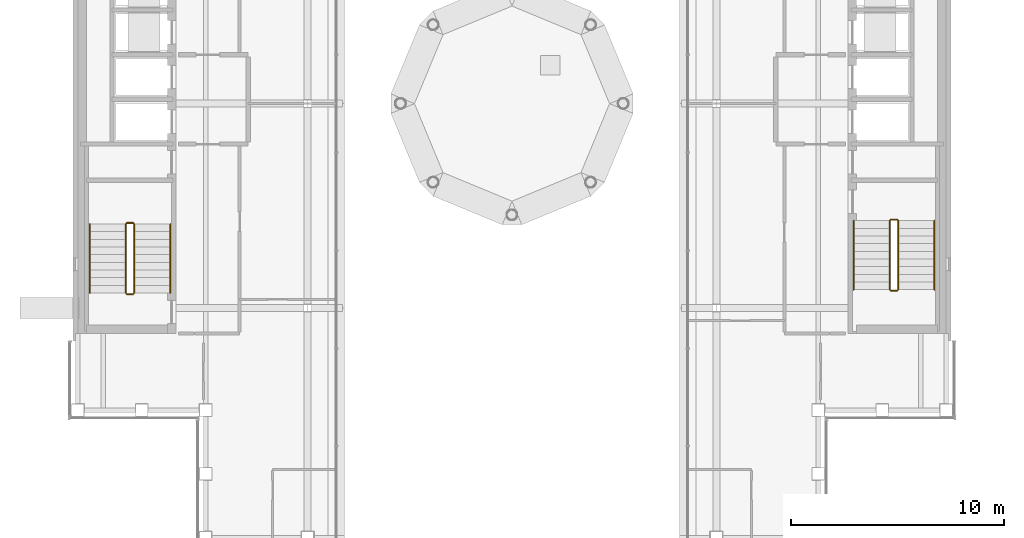
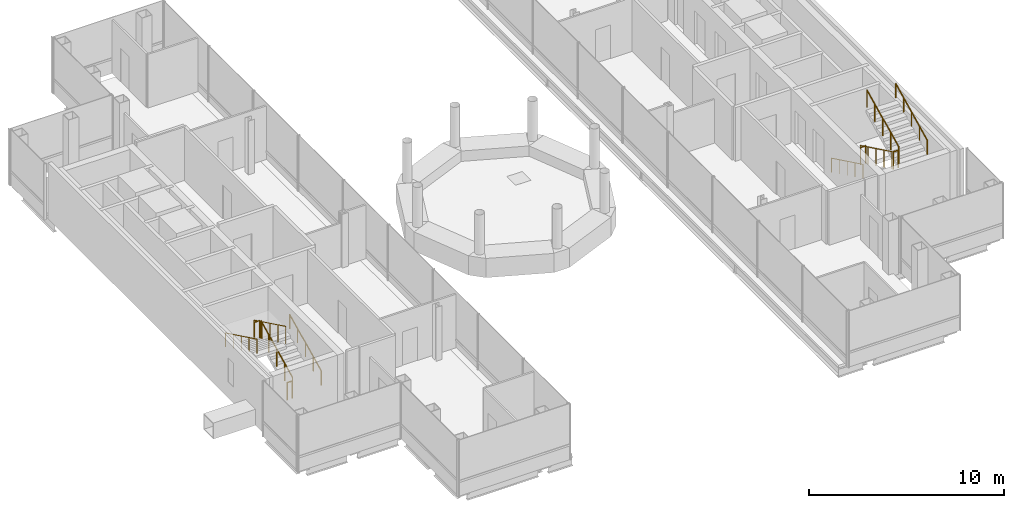
# One storey, part 15 of 16: 12 railings.
"""IFC4 building model written with IfcOpenShell, lengths in metres."""

from ifc_helpers import new_model, si_unit, direction, frame, origin, origin_2d, place, context, subcontext, project, spatial, circle, extrude, material, type_object, element, save


model = new_model("IFC4")

# Units and contexts
model_context = context("Model", 3, precision=1e-05, world=origin(), true_north=direction((0.0, 1.0)))
body_context = subcontext(model_context, "Body", "Model", "MODEL_VIEW")
ifc_project = project(units=[si_unit("LENGTHUNIT", "METRE"), si_unit("AREAUNIT", "SQUARE_METRE"), si_unit("VOLUMEUNIT", "CUBIC_METRE"), si_unit("PLANEANGLEUNIT", "RADIAN"), si_unit("MASSUNIT", "GRAM", prefix="KILO")], contexts=[model_context])

# Site, building, storey
site_placement = place(None, origin())
site = spatial("IfcSite", under=ifc_project, at=site_placement, CompositionType="ELEMENT")
building_placement = place(site_placement, origin())
building = spatial("IfcBuilding", under=site, at=building_placement, Name="Cobrizo Arcos Hotel Tower", CompositionType="ELEMENT")
storey_placement = place(building_placement, frame((0.0, 0.0, 272.5)))
storey = spatial("IfcBuildingStorey", under=building, at=storey_placement, Name="L72", CompositionType="ELEMENT", Elevation=272.5)

# Railings
ifc_material = material(Name="Stainless steel railing", Category="steel")
railing_type_1 = type_object("IfcRailingType", Name="Stair guard 1100", PredefinedType="GUARDRAIL", material=ifc_material)
railing_1_placement = place(storey_placement, frame((-17.75, -8.89990234375, 0.175048828125)))
element("IfcRailing", 1, at=railing_1_placement, inside=storey, type_object=railing_type_1, Name="L72 ST-W stair guard 1", PredefinedType="GUARDRAIL", context=body_context, shape_type="SweptSolid", body=[
    extrude(circle(Radius=0.02392578125, at=origin_2d()), frame((0.0, 0.0, 1.076171875), z_axis=(0.0, 0.899372665325, 0.437182809435), x_axis=(-1.0, 0.0, 0.0)), (0.0, 0.0, 1.0), 3.6025390625),
    extrude(circle(Radius=0.02099609375, at=origin_2d()), origin(), (0.0, 0.0, 1.0), 1.052001953125),
    extrude(circle(Radius=0.02099609375, at=origin_2d()), frame((0.0, 0.81005859375, 0.393798828125)), (0.0, 0.0, 1.0), 1.052001953125),
    extrude(circle(Radius=0.02099609375, at=origin_2d()), frame((0.0, 1.6201171875, 0.78759765625)), (0.0, 0.0, 1.0), 1.052001953125),
    extrude(circle(Radius=0.02099609375, at=origin_2d()), frame((0.0, 2.429931640625, 1.18115234375)), (0.0, 0.0, 1.0), 1.052001953125),
    extrude(circle(Radius=0.02099609375, at=origin_2d()), frame((0.0, 3.239990234375, 1.574951171875)), (0.0, 0.0, 1.0), 1.052001953125),
])
railing_2_placement = place(storey_placement, frame((-17.800048828125, -5.610107421875, 1.75)))
element("IfcRailing", 2, at=railing_2_placement, inside=storey, type_object=railing_type_1, Name="L72 ST-W stair guard 2", PredefinedType="GUARDRAIL", context=body_context, shape_type="SweptSolid", body=[
    extrude(circle(Radius=0.02392578125, at=origin_2d()), frame((0.0, 0.0, 1.076171875), z_axis=(-1.0, 0.0, 0.0), x_axis=(0.0, -1.0, 0.0)), (0.0, 0.0, 1.0), 0.300048828125),
    extrude(circle(Radius=0.02099609375, at=origin_2d()), origin(), (0.0, 0.0, 1.0), 1.052001953125),
    extrude(circle(Radius=0.02099609375, at=origin_2d()), frame((-0.300048828125, 0.0, 0.0)), (0.0, 0.0, 1.0), 1.052001953125),
])
railing_3_placement = place(storey_placement, frame((-18.14990234375, -5.659912109375, 1.925048828125)))
element("IfcRailing", 3, at=railing_3_placement, inside=storey, type_object=railing_type_1, Name="L72 ST-W stair guard 3", PredefinedType="GUARDRAIL", context=body_context, shape_type="SweptSolid", body=[
    extrude(circle(Radius=0.02392578125, at=origin_2d()), frame((0.0, 0.0, 1.076171875), z_axis=(0.0, -0.899372665325, 0.437182809435), x_axis=(1.0, 0.0, 0.0)), (0.0, 0.0, 1.0), 3.6025390625),
    extrude(circle(Radius=0.02099609375, at=origin_2d()), origin(), (0.0, 0.0, 1.0), 1.052001953125),
    extrude(circle(Radius=0.02099609375, at=origin_2d()), frame((0.0, -0.81005859375, 0.393798828125)), (0.0, 0.0, 1.0), 1.052001953125),
    extrude(circle(Radius=0.02099609375, at=origin_2d()), frame((0.0, -1.6201171875, 0.78759765625)), (0.0, 0.0, 1.0), 1.052001953125),
    extrude(circle(Radius=0.02099609375, at=origin_2d()), frame((0.0, -2.429931640625, 1.18115234375)), (0.0, 0.0, 1.0), 1.052001953125),
    extrude(circle(Radius=0.02099609375, at=origin_2d()), frame((0.0, -3.239990234375, 1.574951171875)), (0.0, 0.0, 1.0), 1.052001953125),
])
railing_4_placement = place(storey_placement, frame((-17.800048828125, -8.949951171875, 0.0)))
element("IfcRailing", 4, at=railing_4_placement, inside=storey, type_object=railing_type_1, Name="L72 ST-W stair guard 4", PredefinedType="GUARDRAIL", context=body_context, shape_type="SweptSolid", body=[
    extrude(circle(Radius=0.02392578125, at=origin_2d()), frame((0.0, 0.0, 1.076171875), z_axis=(-1.0, 0.0, 0.0), x_axis=(0.0, -1.0, 0.0)), (0.0, 0.0, 1.0), 0.300048828125),
    extrude(circle(Radius=0.02099609375, at=origin_2d()), origin(), (0.0, 0.0, 1.0), 1.052001953125),
    extrude(circle(Radius=0.02099609375, at=origin_2d()), frame((-0.300048828125, 0.0, 0.0)), (0.0, 0.0, 1.0), 1.052001953125),
])
railing_5_placement = place(storey_placement, frame((17.75, -5.5, 0.175048828125)))
element("IfcRailing", 5, at=railing_5_placement, inside=storey, type_object=railing_type_1, Name="L72 ST-E stair guard 1", PredefinedType="GUARDRAIL", context=body_context, shape_type="SweptSolid", body=[
    extrude(circle(Radius=0.02392578125, at=origin_2d()), frame((0.0, 0.0, 1.076171875), z_axis=(0.0, -0.899372665325, 0.437182809435), x_axis=(1.0, 0.0, 0.0)), (0.0, 0.0, 1.0), 3.6025390625),
    extrude(circle(Radius=0.02099609375, at=origin_2d()), origin(), (0.0, 0.0, 1.0), 1.052001953125),
    extrude(circle(Radius=0.02099609375, at=origin_2d()), frame((0.0, -0.81005859375, 0.393798828125)), (0.0, 0.0, 1.0), 1.052001953125),
    extrude(circle(Radius=0.02099609375, at=origin_2d()), frame((0.0, -1.6201171875, 0.78759765625)), (0.0, 0.0, 1.0), 1.052001953125),
    extrude(circle(Radius=0.02099609375, at=origin_2d()), frame((0.0, -2.429931640625, 1.18115234375)), (0.0, 0.0, 1.0), 1.052001953125),
    extrude(circle(Radius=0.02099609375, at=origin_2d()), frame((0.0, -3.239990234375, 1.574951171875)), (0.0, 0.0, 1.0), 1.052001953125),
])
railing_6_placement = place(storey_placement, frame((17.800048828125, -8.7900390625, 1.75)))
element("IfcRailing", 6, at=railing_6_placement, inside=storey, type_object=railing_type_1, Name="L72 ST-E stair guard 2", PredefinedType="GUARDRAIL", context=body_context, shape_type="SweptSolid", body=[
    extrude(circle(Radius=0.02392578125, at=origin_2d()), frame((0.0, 0.0, 1.076171875), z_axis=(1.0, 0.0, 0.0), x_axis=(0.0, 1.0, 0.0)), (0.0, 0.0, 1.0), 0.300048828125),
    extrude(circle(Radius=0.02099609375, at=origin_2d()), origin(), (0.0, 0.0, 1.0), 1.052001953125),
    extrude(circle(Radius=0.02099609375, at=origin_2d()), frame((0.300048828125, 0.0, 0.0)), (0.0, 0.0, 1.0), 1.052001953125),
])
railing_7_placement = place(storey_placement, frame((18.14990234375, -8.739990234375, 1.925048828125)))
element("IfcRailing", 7, at=railing_7_placement, inside=storey, type_object=railing_type_1, Name="L72 ST-E stair guard 3", PredefinedType="GUARDRAIL", context=body_context, shape_type="SweptSolid", body=[
    extrude(circle(Radius=0.02392578125, at=origin_2d()), frame((0.0, 0.0, 1.076171875), z_axis=(0.0, 0.899372665325, 0.437182809435), x_axis=(-1.0, 0.0, 0.0)), (0.0, 0.0, 1.0), 3.6025390625),
    extrude(circle(Radius=0.02099609375, at=origin_2d()), origin(), (0.0, 0.0, 1.0), 1.052001953125),
    extrude(circle(Radius=0.02099609375, at=origin_2d()), frame((0.0, 0.81005859375, 0.393798828125)), (0.0, 0.0, 1.0), 1.052001953125),
    extrude(circle(Radius=0.02099609375, at=origin_2d()), frame((0.0, 1.6201171875, 0.78759765625)), (0.0, 0.0, 1.0), 1.052001953125),
    extrude(circle(Radius=0.02099609375, at=origin_2d()), frame((0.0, 2.429931640625, 1.18115234375)), (0.0, 0.0, 1.0), 1.052001953125),
    extrude(circle(Radius=0.02099609375, at=origin_2d()), frame((0.0, 3.239990234375, 1.574951171875)), (0.0, 0.0, 1.0), 1.052001953125),
])
railing_8_placement = place(storey_placement, frame((17.800048828125, -5.449951171875, 0.0)))
element("IfcRailing", 8, at=railing_8_placement, inside=storey, type_object=railing_type_1, Name="L72 ST-E stair guard 4", PredefinedType="GUARDRAIL", context=body_context, shape_type="SweptSolid", body=[
    extrude(circle(Radius=0.02392578125, at=origin_2d()), frame((0.0, 0.0, 1.076171875), z_axis=(1.0, 0.0, 0.0), x_axis=(0.0, 1.0, 0.0)), (0.0, 0.0, 1.0), 0.300048828125),
    extrude(circle(Radius=0.02099609375, at=origin_2d()), origin(), (0.0, 0.0, 1.0), 1.052001953125),
    extrude(circle(Radius=0.02099609375, at=origin_2d()), frame((0.300048828125, 0.0, 0.0)), (0.0, 0.0, 1.0), 1.052001953125),
])
railing_type_2 = type_object("IfcRailingType", Name="Stair handrail", PredefinedType="HANDRAIL", material=ifc_material)
railing_9_placement = place(storey_placement, frame((-16.050048828125, -8.89990234375, 0.175048828125)))
element("IfcRailing", 9, at=railing_9_placement, inside=storey, type_object=railing_type_2, Name="L72 ST-W stair handrail 1", PredefinedType="HANDRAIL", context=body_context, shape_type="SweptSolid", body=[
    extrude(circle(Radius=0.02392578125, at=origin_2d()), frame((0.0, 0.0, 0.8759765625), z_axis=(0.0, 0.899372665325, 0.437182809435), x_axis=(-1.0, 0.0, 0.0)), (0.0, 0.0, 1.0), 3.6025390625),
    extrude(circle(Radius=0.02099609375, at=origin_2d()), origin(), (0.0, 0.0, 1.0), 0.851806640625),
    extrude(circle(Radius=0.02099609375, at=origin_2d()), frame((0.0, 0.81005859375, 0.393798828125)), (0.0, 0.0, 1.0), 0.851806640625),
    extrude(circle(Radius=0.02099609375, at=origin_2d()), frame((0.0, 1.6201171875, 0.78759765625)), (0.0, 0.0, 1.0), 0.851806640625),
    extrude(circle(Radius=0.02099609375, at=origin_2d()), frame((0.0, 2.429931640625, 1.18115234375)), (0.0, 0.0, 1.0), 0.851806640625),
    extrude(circle(Radius=0.02099609375, at=origin_2d()), frame((0.0, 3.239990234375, 1.574951171875)), (0.0, 0.0, 1.0), 0.851806640625),
])
for number, where, name in (
    (10, (-19.85009765625, -5.659912109375, 1.925048828125), "L72 ST-W stair handrail 2"),
    (11, (16.050048828125, -5.5, 0.175048828125), "L72 ST-E stair handrail 1"),
):
    element("IfcRailing", number, at=place(storey_placement, frame(where)), inside=storey, type_object=railing_type_2, Name=name, PredefinedType="HANDRAIL", context=body_context, shape_type="SweptSolid", body=[
        extrude(circle(Radius=0.02392578125, at=origin_2d()), frame((0.0, 0.0, 0.8759765625), z_axis=(0.0, -0.899372665325, 0.437182809435), x_axis=(1.0, 0.0, 0.0)), (0.0, 0.0, 1.0), 3.6025390625),
        extrude(circle(Radius=0.02099609375, at=origin_2d()), origin(), (0.0, 0.0, 1.0), 0.851806640625),
        extrude(circle(Radius=0.02099609375, at=origin_2d()), frame((0.0, -0.81005859375, 0.393798828125)), (0.0, 0.0, 1.0), 0.851806640625),
        extrude(circle(Radius=0.02099609375, at=origin_2d()), frame((0.0, -1.6201171875, 0.78759765625)), (0.0, 0.0, 1.0), 0.851806640625),
        extrude(circle(Radius=0.02099609375, at=origin_2d()), frame((0.0, -2.429931640625, 1.18115234375)), (0.0, 0.0, 1.0), 0.851806640625),
        extrude(circle(Radius=0.02099609375, at=origin_2d()), frame((0.0, -3.239990234375, 1.574951171875)), (0.0, 0.0, 1.0), 0.851806640625),
    ])
railing_10_placement = place(storey_placement, frame((19.85009765625, -8.739990234375, 1.925048828125)))
element("IfcRailing", 12, at=railing_10_placement, inside=storey, type_object=railing_type_2, Name="L72 ST-E stair handrail 2", PredefinedType="HANDRAIL", context=body_context, shape_type="SweptSolid", body=[
    extrude(circle(Radius=0.02392578125, at=origin_2d()), frame((0.0, 0.0, 0.8759765625), z_axis=(0.0, 0.899372665325, 0.437182809435), x_axis=(-1.0, 0.0, 0.0)), (0.0, 0.0, 1.0), 3.6025390625),
    extrude(circle(Radius=0.02099609375, at=origin_2d()), origin(), (0.0, 0.0, 1.0), 0.851806640625),
    extrude(circle(Radius=0.02099609375, at=origin_2d()), frame((0.0, 0.81005859375, 0.393798828125)), (0.0, 0.0, 1.0), 0.851806640625),
    extrude(circle(Radius=0.02099609375, at=origin_2d()), frame((0.0, 1.6201171875, 0.78759765625)), (0.0, 0.0, 1.0), 0.851806640625),
    extrude(circle(Radius=0.02099609375, at=origin_2d()), frame((0.0, 2.429931640625, 1.18115234375)), (0.0, 0.0, 1.0), 0.851806640625),
    extrude(circle(Radius=0.02099609375, at=origin_2d()), frame((0.0, 3.239990234375, 1.574951171875)), (0.0, 0.0, 1.0), 0.851806640625),
])

save(model, "model.ifc")
